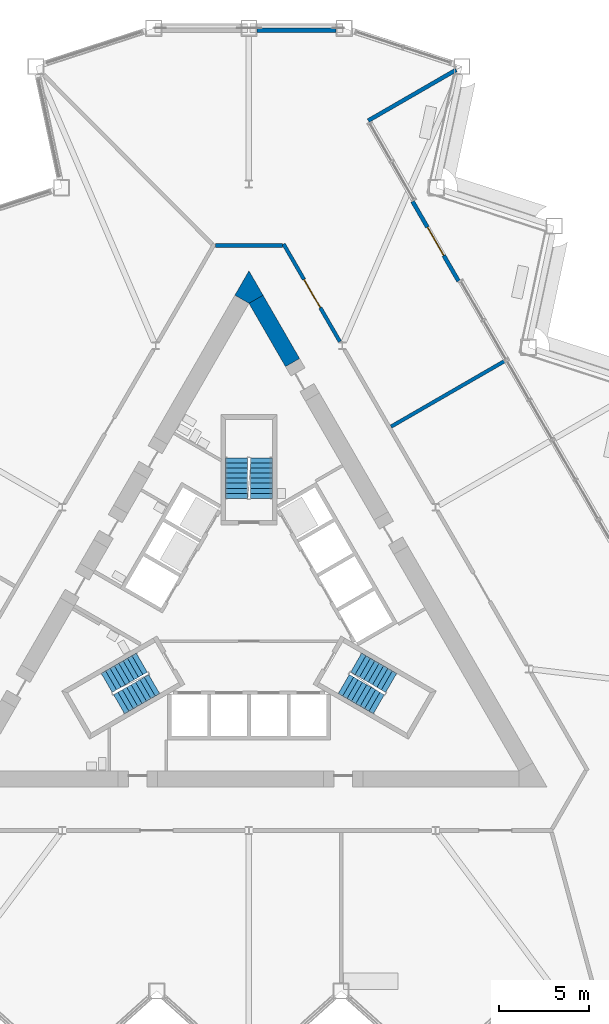
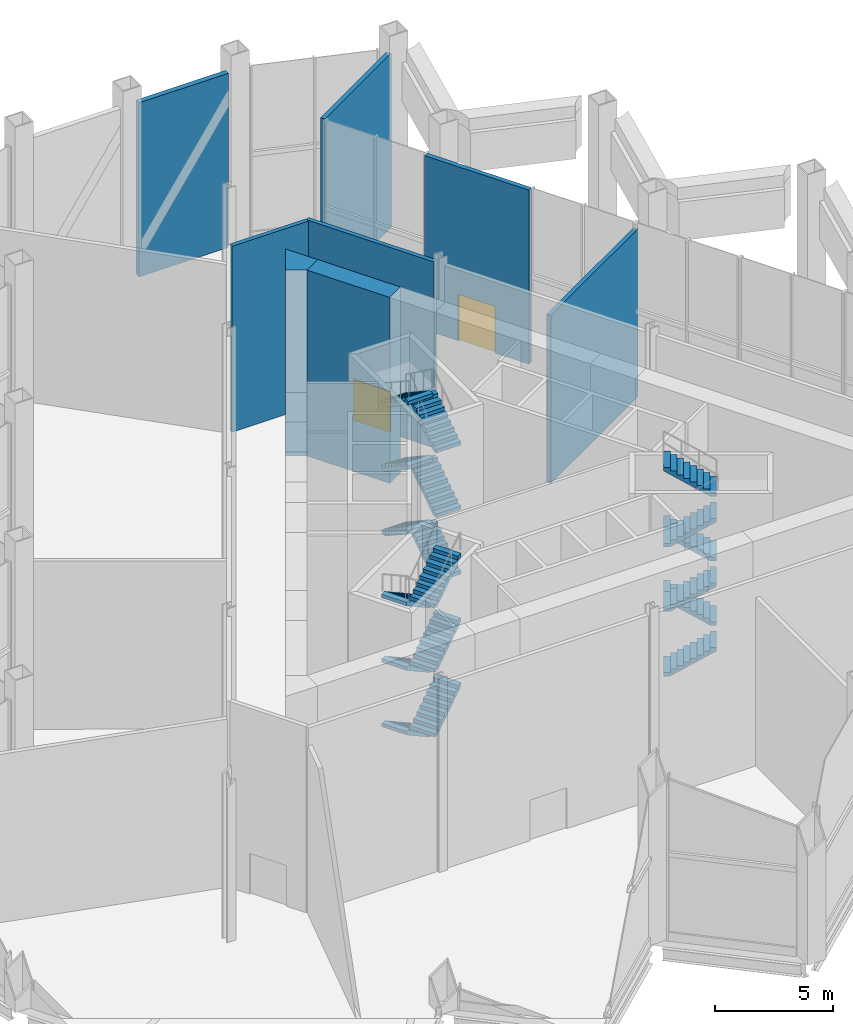
# One storey, part 11 of 18: 18 stair flights, 8 walls, 2 doors, 2 openings, 3 elements without a shape of their own.
"""IFC4 building model written with IfcOpenShell, lengths in metres."""

from ifc_helpers import new_model, si_unit, direction, frame, frame_2d, origin, place, context, subcontext, project, spatial, polyline, rectangle, outline, extrude, material, layer, layer_set, type_object, element, fill, aggregate, save


model = new_model("IFC4")

# Units and contexts
model_context = context("Model", 3, precision=1e-05, world=origin(), true_north=direction((0.0, 1.0)))
body_context = subcontext(model_context, "Body", "Model", "MODEL_VIEW")
ifc_project = project(units=[si_unit("LENGTHUNIT", "METRE"), si_unit("AREAUNIT", "SQUARE_METRE"), si_unit("VOLUMEUNIT", "CUBIC_METRE"), si_unit("PLANEANGLEUNIT", "RADIAN"), si_unit("MASSUNIT", "GRAM", prefix="KILO")], contexts=[model_context])

# Site, building, storey
site_placement = place(None, origin())
site = spatial("IfcSite", under=ifc_project, at=site_placement, CompositionType="ELEMENT")
building_placement = place(site_placement, origin())
building = spatial("IfcBuilding", under=site, at=building_placement, Name="Cormorant Prow Tower", CompositionType="ELEMENT")
storey_placement = place(building_placement, frame((0.0, 0.0, 154.199951171875)))
storey = spatial("IfcBuildingStorey", under=building, at=storey_placement, Name="L33", CompositionType="ELEMENT", Elevation=154.199951171875)

# Walls
ifc_material_1 = material(Name="Concrete 8000 psi", Category="concrete")
ifc_layer_1 = layer(ifc_material_1, 0.89990234375)
ifc_layer_set_1 = layer_set([ifc_layer_1], Name="Concrete 8000 psi")
wall_type_1 = type_object("IfcWallType", Name="Core shear wall 900", PredefinedType="SHEAR", material=ifc_layer_set_1)
wall_1_placement = place(storey_placement, frame((2.41259765625, 13.97412109375, 0.0), z_axis=(0.0, 0.0, 1.0), x_axis=(-0.500046330384, 0.865998653272, 0.0)))
element("IfcWall", 1, at=wall_1_placement, inside=storey, type_object=wall_type_1, Name="Core wall", PredefinedType="SHEAR", context=body_context, shape_type="SweptSolid", body=[
    extrude(rectangle(XDim=4.04541015625, YDim=0.89990234375, at=frame_2d((2.022705078125, 0.0))), origin(), (0.0, 0.0, 1.0), 9.60009765625),
])
wall_2_placement = place(storey_placement, origin())
element("IfcWall", 2, at=wall_2_placement, inside=storey, type_object=wall_type_1, Name="Core wall corner", PredefinedType="SHEAR", context=body_context, shape_type="SweptSolid", body=[
    extrude(outline(polyline([(-0.779296875, 17.70263671875), (0.0, 19.052490234375), (0.779296875, 17.70263671875), (0.0, 17.252685546875), (-0.779296875, 17.70263671875)])), origin(), (0.0, 0.0, 1.0), 9.60009765625),
])

# Wall, opening, door
ifc_material_2 = material(Name="Gypsum board corridor wall")
ifc_layer_2 = layer(ifc_material_2, 0.199951171875)
ifc_layer_set_2 = layer_set([ifc_layer_2], Name="Gypsum board corridor wall")
wall_type_2 = type_object("IfcWallType", Name="Corridor wall 200", PredefinedType="PARTITIONING", material=ifc_layer_set_2)
wall_3_placement = place(storey_placement, frame((1.9130859375, 20.539306640625, 0.0), z_axis=(0.0, 0.0, 1.0), x_axis=(0.499980978912, -0.866036385336, 0.0)))
wall_3 = element("IfcWall", 3, at=wall_3_placement, inside=storey, type_object=wall_type_2, Name="Corridor wall", PredefinedType="PARTITIONING", context=body_context, shape_type="SweptSolid", body=[
    extrude(rectangle(XDim=6.239990234375, YDim=0.199951171875, at=frame_2d((3.1201171875, 0.0))), origin(), (0.0, 0.0, 1.0), 9.60009765625),
])
opening_1_placement = place(wall_3_placement, frame((2.2705078125, 0.0, 0.0)))
opening_1 = element("IfcOpeningElement", 4, at=opening_1_placement, cuts=wall_3, Name="Opening L33-F04", PredefinedType="OPENING", context=body_context, shape_type="SweptSolid", body=[
    extrude(rectangle(XDim=1.800048828125, YDim=2.10009765625, at=frame_2d((0.89990234375, 1.050048828125))), frame((0.0, 0.10986328125, 0.0), z_axis=(0.0, -1.0, 0.0), x_axis=(1.0, 0.0, 0.0)), (0.0, 0.0, 1.0), 0.219970703125),
])
ifc_material_3 = material(Name="Timber door leaf", Category="wood")
door_type_1 = type_object("IfcDoorType", Name="Double door 1800x2100", OperationType="DOUBLE_DOOR_SINGLE_SWING", PredefinedType="DOOR", material=ifc_material_3)
door_1_placement = place(opening_1_placement, origin())
door_1 = element("IfcDoor", 5, at=door_1_placement, inside=storey, type_object=door_type_1, Name="Business services centre door", OperationType="DOUBLE_DOOR_SINGLE_SWING", OverallHeight=2.10009765625, OverallWidth=1.800048828125, PredefinedType="DOOR", context=body_context, shape_type="SweptSolid", body=[
    extrude(rectangle(XDim=1.800048828125, YDim=2.10009765625, at=frame_2d((0.89990234375, 1.050048828125))), frame((0.0, 0.02490234375, 0.0), z_axis=(0.0, -1.0, 0.0), x_axis=(1.0, 0.0, 0.0)), (0.0, 0.0, 1.0), 0.050048828125),
])
fill(opening_1, door_1)

# Walls
wall_4_placement = place(storey_placement, frame((-1.863037109375, 20.45263671875, 0.0), z_axis=(0.0, 0.0, 1.0), x_axis=(1.0, 0.0, 0.0)))
element("IfcWall", 6, at=wall_4_placement, inside=storey, type_object=wall_type_2, Name="Corridor wall", PredefinedType="PARTITIONING", context=body_context, shape_type="SweptSolid", body=[
    extrude(rectangle(XDim=3.72607421875, YDim=0.199951171875, at=frame_2d((1.863037109375, 0.0))), origin(), (0.0, 0.0, 1.0), 9.60009765625),
])
ifc_material_4 = material(Name="Gypsum board demising wall")
ifc_layer_3 = layer(ifc_material_4, 0.199951171875)
ifc_layer_set_3 = layer_set([ifc_layer_3], Name="Gypsum board demising wall")
wall_type_3 = type_object("IfcWallType", Name="Demising wall 200", PredefinedType="PARTITIONING", material=ifc_layer_set_3)
wall_5_placement = place(storey_placement, frame((7.864990234375, 10.4296875, 0.0), z_axis=(0.0, 0.0, 1.0), x_axis=(0.866025675355, 0.499999529627, 0.0)))
element("IfcWall", 7, at=wall_5_placement, inside=storey, type_object=wall_type_3, Name="Demising wall", PredefinedType="PARTITIONING", context=body_context, shape_type="SweptSolid", body=[
    extrude(rectangle(XDim=7.373046875, YDim=0.199951171875, at=frame_2d((3.6865234375, 0.0))), origin(), (0.0, 0.0, 1.0), 8.685302734375),
])
ifc_material_5 = material(Name="Terracotta", Category="masonry")
ifc_layer_4 = layer(ifc_material_5, 0.25)
ifc_layer_set_4 = layer_set([ifc_layer_4], Name="Terracotta")
wall_type_4 = type_object("IfcWallType", Name="Terracotta bay wall 250", PredefinedType="SOLIDWALL", material=ifc_layer_set_4)
wall_6_placement = place(storey_placement, frame((4.819580078125, 32.362060546875, 0.0), z_axis=(0.0, 0.0, 1.0), x_axis=(-1.0, 0.0, 0.0)))
element("IfcWall", 8, at=wall_6_placement, inside=storey, type_object=wall_type_4, Name="Terracotta bay wall N00", PredefinedType="SOLIDWALL", context=body_context, shape_type="SweptSolid", body=[
    extrude(rectangle(XDim=4.36962890625, YDim=0.25, at=frame_2d((2.184814453125, 0.0))), origin(), (0.0, 0.0, 1.0), 8.989013671875),
])

# Wall, opening, door
ifc_material_6 = material(Name="Terracotta", Category="masonry")
ifc_layer_5 = layer(ifc_material_6, 0.219970703125)
ifc_layer_set_5 = layer_set([ifc_layer_5], Name="Terracotta")
wall_type_5 = type_object("IfcWallType", Name="Terracotta loggia wall 220", PredefinedType="SOLIDWALL", material=ifc_layer_set_5)
wall_7_placement = place(storey_placement, frame((11.60498046875, 18.47802734375, 0.0), z_axis=(0.0, 0.0, 1.0), x_axis=(-0.500026340207, 0.866010195725, 0.0)))
wall_7 = element("IfcWall", 9, at=wall_7_placement, inside=storey, type_object=wall_type_5, Name="Terracotta loggia wall ENE07", PredefinedType="SOLIDWALL", context=body_context, shape_type="SweptSolid", body=[
    extrude(rectangle(XDim=5.099853515625, YDim=0.219970703125, at=frame_2d((2.5498046875, 0.0))), origin(), (0.0, 0.0, 1.0), 8.989013671875),
])
opening_2_placement = place(wall_7_placement, frame((1.64990234375, 0.0, 0.0)))
opening_2 = element("IfcOpeningElement", 10, at=opening_2_placement, cuts=wall_7, Name="Opening ED33.02", PredefinedType="OPENING", context=body_context, shape_type="SweptSolid", body=[
    extrude(rectangle(XDim=1.800048828125, YDim=2.39990234375, at=frame_2d((0.89990234375, 1.199951171875))), frame((0.0, 0.119873046875, 0.0), z_axis=(0.0, -1.0, 0.0), x_axis=(1.0, 0.0, 0.0)), (0.0, 0.0, 1.0), 0.239990234375),
])
ifc_material_7 = material(Name="Aluminium 6063-T6", Category="aluminium")
door_type_2 = type_object("IfcDoorType", Name="Terrace door 1800x2400", OperationType="DOUBLE_DOOR_SINGLE_SWING", PredefinedType="DOOR", material=ifc_material_7)
door_2_placement = place(opening_2_placement, origin())
door_2 = element("IfcDoor", 11, at=door_2_placement, inside=storey, type_object=door_type_2, Name="Terrace door ENE07 ED33.02", OperationType="DOUBLE_DOOR_SINGLE_SWING", OverallHeight=2.39990234375, OverallWidth=1.800048828125, PredefinedType="DOOR", context=body_context, shape_type="SweptSolid", body=[
    extrude(rectangle(XDim=1.800048828125, YDim=2.39990234375, at=frame_2d((0.89990234375, 1.199951171875))), frame((0.0, 0.02490234375, 0.0), z_axis=(0.0, -1.0, 0.0), x_axis=(1.0, 0.0, 0.0)), (0.0, 0.0, 1.0), 0.050048828125),
])
fill(opening_2, door_2)

# Wall
wall_8_placement = place(storey_placement, frame((11.46728515625, 30.17626953125, 0.0), z_axis=(0.0, 0.0, 1.0), x_axis=(-0.866015577098, -0.500017019934, 0.0)))
element("IfcWall", 12, at=wall_8_placement, inside=storey, type_object=wall_type_5, Name="Terracotta loggia return ENE east", PredefinedType="SOLIDWALL", context=body_context, shape_type="SweptSolid", body=[
    extrude(rectangle(XDim=5.619873046875, YDim=0.219970703125, at=frame_2d((2.81005859375, 0.0))), origin(), (0.0, 0.0, 1.0), 8.989013671875),
])

# Stair, stair flights
ifc_material_8 = material(Name="Exit stair 54 risers")
stair_type = type_object("IfcStairType", Name="Exit stair 54 risers", PredefinedType="HALF_TURN_STAIR", material=ifc_material_8)
stair_1_placement = place(storey_placement, origin())
stair_1 = element("IfcStair", 13, at=stair_1_placement, inside=storey, type_object=stair_type, Name="L33 Exit stair ST1", PredefinedType="HALF_TURN_STAIR")
ifc_material_9 = material(Name="Concrete 5000 psi", Category="concrete")
stair_flight_type = type_object("IfcStairFlightType", Name="Stair flight 1219", PredefinedType="STRAIGHT", material=ifc_material_9)
stair_flight_1_placement = place(storey_placement, frame((-5.93310546875, -2.635009765625, 0.0), z_axis=(0.0, 0.0, 1.0), x_axis=(-0.866025403784, -0.5, 0.0)))
stair_flight_1 = element("IfcStairFlight", 14, at=stair_flight_1_placement, type_object=stair_flight_type, Name="ST1 flight 1", NumberOfRisers=9, NumberOfTreads=8, PredefinedType="STRAIGHT", RiserHeight=0.185185185, TreadLength=0.28, context=body_context, shape_type="SweptSolid", body=[
    extrude(outline(polyline([(0.0, 0.0), (0.0, 0.185302734375), (0.280029296875, 0.185302734375), (0.280029296875, 0.370361328125), (0.56005859375, 0.370361328125), (0.56005859375, 0.5556640625), (0.840087890625, 0.5556640625), (0.840087890625, 0.74072265625), (1.1201171875, 0.74072265625), (1.1201171875, 0.926025390625), (1.39990234375, 0.926025390625), (1.39990234375, 1.111083984375), (1.679931640625, 1.111083984375), (1.679931640625, 1.29638671875), (1.9599609375, 1.29638671875), (1.9599609375, 1.4814453125), (2.239990234375, 1.4814453125), (2.239990234375, 1.666748046875), (2.239990234375, 1.3017578125), (0.271728515625, 0.0), (0.0, 0.0)])), frame((0.0, 0.609375, 0.0), z_axis=(0.0, -1.0, 0.0), x_axis=(1.0, 0.0, 0.0)), (0.0, 0.0, 1.0), 1.218994140625),
])
stair_flight_2_placement = place(storey_placement, frame((-7.1884765625, -4.940673828125, 1.666748046875), z_axis=(0.0, 0.0, 1.0), x_axis=(0.866025403784, 0.5, 0.0)))
stair_flight_2 = element("IfcStairFlight", 15, at=stair_flight_2_placement, type_object=stair_flight_type, Name="ST1 flight 2", NumberOfRisers=9, NumberOfTreads=8, PredefinedType="STRAIGHT", RiserHeight=0.185185185, TreadLength=0.28, context=body_context, shape_type="SweptSolid", body=[
    extrude(outline(polyline([(0.0, 0.0), (0.0, 0.185302734375), (0.280029296875, 0.185302734375), (0.280029296875, 0.370361328125), (0.56005859375, 0.370361328125), (0.56005859375, 0.5556640625), (0.840087890625, 0.5556640625), (0.840087890625, 0.74072265625), (1.1201171875, 0.74072265625), (1.1201171875, 0.926025390625), (1.39990234375, 0.926025390625), (1.39990234375, 1.111083984375), (1.679931640625, 1.111083984375), (1.679931640625, 1.29638671875), (1.9599609375, 1.29638671875), (1.9599609375, 1.4814453125), (2.239990234375, 1.4814453125), (2.239990234375, 1.666748046875), (2.239990234375, 1.3017578125), (0.271728515625, 0.0), (0.0, 0.0)])), frame((0.0, 0.609375, 0.0), z_axis=(0.0, -1.0, 0.0), x_axis=(1.0, 0.0, 0.0)), (0.0, 0.0, 1.0), 1.218994140625),
])
stair_flight_3_placement = place(storey_placement, frame((-5.93310546875, -2.635009765625, 3.33349609375), z_axis=(0.0, 0.0, 1.0), x_axis=(-0.866025403784, -0.5, 0.0)))
stair_flight_3 = element("IfcStairFlight", 16, at=stair_flight_3_placement, type_object=stair_flight_type, Name="ST1 flight 3", NumberOfRisers=9, NumberOfTreads=8, PredefinedType="STRAIGHT", RiserHeight=0.185185185, TreadLength=0.28, context=body_context, shape_type="SweptSolid", body=[
    extrude(outline(polyline([(0.0, 0.0), (0.0, 0.185302734375), (0.280029296875, 0.185302734375), (0.280029296875, 0.370361328125), (0.56005859375, 0.370361328125), (0.56005859375, 0.5556640625), (0.840087890625, 0.5556640625), (0.840087890625, 0.74072265625), (1.1201171875, 0.74072265625), (1.1201171875, 0.926025390625), (1.39990234375, 0.926025390625), (1.39990234375, 1.111083984375), (1.679931640625, 1.111083984375), (1.679931640625, 1.29638671875), (1.9599609375, 1.29638671875), (1.9599609375, 1.4814453125), (2.239990234375, 1.4814453125), (2.239990234375, 1.666748046875), (2.239990234375, 1.3017578125), (0.271728515625, 0.0), (0.0, 0.0)])), frame((0.0, 0.609375, 0.0), z_axis=(0.0, -1.0, 0.0), x_axis=(1.0, 0.0, 0.0)), (0.0, 0.0, 1.0), 1.218994140625),
])
stair_flight_4_placement = place(storey_placement, frame((-7.1884765625, -4.940673828125, 5.0), z_axis=(0.0, 0.0, 1.0), x_axis=(0.866025403784, 0.5, 0.0)))
stair_flight_4 = element("IfcStairFlight", 17, at=stair_flight_4_placement, type_object=stair_flight_type, Name="ST1 flight 4", NumberOfRisers=9, NumberOfTreads=8, PredefinedType="STRAIGHT", RiserHeight=0.185185185, TreadLength=0.28, context=body_context, shape_type="SweptSolid", body=[
    extrude(outline(polyline([(0.0, 0.0), (0.0, 0.185302734375), (0.280029296875, 0.185302734375), (0.280029296875, 0.370361328125), (0.56005859375, 0.370361328125), (0.56005859375, 0.5556640625), (0.840087890625, 0.5556640625), (0.840087890625, 0.74072265625), (1.1201171875, 0.74072265625), (1.1201171875, 0.926025390625), (1.39990234375, 0.926025390625), (1.39990234375, 1.111083984375), (1.679931640625, 1.111083984375), (1.679931640625, 1.29638671875), (1.9599609375, 1.29638671875), (1.9599609375, 1.4814453125), (2.239990234375, 1.4814453125), (2.239990234375, 1.666748046875), (2.239990234375, 1.3017578125), (0.271728515625, 0.0), (0.0, 0.0)])), frame((0.0, 0.609375, 0.0), z_axis=(0.0, -1.0, 0.0), x_axis=(1.0, 0.0, 0.0)), (0.0, 0.0, 1.0), 1.218994140625),
])
stair_flight_5_placement = place(storey_placement, frame((-5.93310546875, -2.635009765625, 6.666748046875), z_axis=(0.0, 0.0, 1.0), x_axis=(-0.866025403784, -0.5, 0.0)))
stair_flight_5 = element("IfcStairFlight", 18, at=stair_flight_5_placement, type_object=stair_flight_type, Name="ST1 flight 5", NumberOfRisers=9, NumberOfTreads=8, PredefinedType="STRAIGHT", RiserHeight=0.185185185, TreadLength=0.28, context=body_context, shape_type="SweptSolid", body=[
    extrude(outline(polyline([(0.0, 0.0), (0.0, 0.185302734375), (0.280029296875, 0.185302734375), (0.280029296875, 0.370361328125), (0.56005859375, 0.370361328125), (0.56005859375, 0.5556640625), (0.840087890625, 0.5556640625), (0.840087890625, 0.74072265625), (1.1201171875, 0.74072265625), (1.1201171875, 0.926025390625), (1.39990234375, 0.926025390625), (1.39990234375, 1.111083984375), (1.679931640625, 1.111083984375), (1.679931640625, 1.29638671875), (1.9599609375, 1.29638671875), (1.9599609375, 1.4814453125), (2.239990234375, 1.4814453125), (2.239990234375, 1.666748046875), (2.239990234375, 1.3017578125), (0.271728515625, 0.0), (0.0, 0.0)])), frame((0.0, 0.609375, 0.0), z_axis=(0.0, -1.0, 0.0), x_axis=(1.0, 0.0, 0.0)), (0.0, 0.0, 1.0), 1.218994140625),
])
stair_flight_6_placement = place(storey_placement, frame((-7.1884765625, -4.940673828125, 8.33349609375), z_axis=(0.0, 0.0, 1.0), x_axis=(0.866025403784, 0.5, 0.0)))
stair_flight_6 = element("IfcStairFlight", 19, at=stair_flight_6_placement, type_object=stair_flight_type, Name="ST1 flight 6", NumberOfRisers=9, NumberOfTreads=8, PredefinedType="STRAIGHT", RiserHeight=0.185185185, TreadLength=0.28, context=body_context, shape_type="SweptSolid", body=[
    extrude(outline(polyline([(0.0, 0.0), (0.0, 0.185302734375), (0.280029296875, 0.185302734375), (0.280029296875, 0.370361328125), (0.56005859375, 0.370361328125), (0.56005859375, 0.5556640625), (0.840087890625, 0.5556640625), (0.840087890625, 0.74072265625), (1.1201171875, 0.74072265625), (1.1201171875, 0.926025390625), (1.39990234375, 0.926025390625), (1.39990234375, 1.111083984375), (1.679931640625, 1.111083984375), (1.679931640625, 1.29638671875), (1.9599609375, 1.29638671875), (1.9599609375, 1.4814453125), (2.239990234375, 1.4814453125), (2.239990234375, 1.666748046875), (2.239990234375, 1.3017578125), (0.271728515625, 0.0), (0.0, 0.0)])), frame((0.0, 0.609375, 0.0), z_axis=(0.0, -1.0, 0.0), x_axis=(1.0, 0.0, 0.0)), (0.0, 0.0, 1.0), 1.218994140625),
])
aggregate(stair_1, [stair_flight_1, stair_flight_2, stair_flight_3, stair_flight_4, stair_flight_5, stair_flight_6])

stair_2_placement = place(storey_placement, origin())
stair_2 = element("IfcStair", 20, at=stair_2_placement, inside=storey, type_object=stair_type, Name="L33 Exit stair ST2", PredefinedType="HALF_TURN_STAIR")
stair_flight_7_placement = place(storey_placement, frame((5.24853515625, -3.82080078125, 0.0), z_axis=(0.0, 0.0, 1.0), x_axis=(0.866025403784, -0.5, 0.0)))
stair_flight_7 = element("IfcStairFlight", 21, at=stair_flight_7_placement, type_object=stair_flight_type, Name="ST2 flight 1", NumberOfRisers=9, NumberOfTreads=8, PredefinedType="STRAIGHT", RiserHeight=0.185185185, TreadLength=0.28, context=body_context, shape_type="SweptSolid", body=[
    extrude(outline(polyline([(0.0, 0.0), (0.0, 0.185302734375), (0.280029296875, 0.185302734375), (0.280029296875, 0.370361328125), (0.56005859375, 0.370361328125), (0.56005859375, 0.5556640625), (0.840087890625, 0.5556640625), (0.840087890625, 0.74072265625), (1.1201171875, 0.74072265625), (1.1201171875, 0.926025390625), (1.39990234375, 0.926025390625), (1.39990234375, 1.111083984375), (1.679931640625, 1.111083984375), (1.679931640625, 1.29638671875), (1.9599609375, 1.29638671875), (1.9599609375, 1.4814453125), (2.239990234375, 1.4814453125), (2.239990234375, 1.666748046875), (2.239990234375, 1.3017578125), (0.271728515625, 0.0), (0.0, 0.0)])), frame((0.0, 0.609375, 0.0), z_axis=(0.0, -1.0, 0.0), x_axis=(1.0, 0.0, 0.0)), (0.0, 0.0, 1.0), 1.218994140625),
])
stair_flight_8_placement = place(storey_placement, frame((7.873046875, -3.755126953125, 1.666748046875), z_axis=(0.0, 0.0, 1.0), x_axis=(-0.866025403784, 0.5, 0.0)))
stair_flight_8 = element("IfcStairFlight", 22, at=stair_flight_8_placement, type_object=stair_flight_type, Name="ST2 flight 2", NumberOfRisers=9, NumberOfTreads=8, PredefinedType="STRAIGHT", RiserHeight=0.185185185, TreadLength=0.28, context=body_context, shape_type="SweptSolid", body=[
    extrude(outline(polyline([(0.0, 0.0), (0.0, 0.185302734375), (0.280029296875, 0.185302734375), (0.280029296875, 0.370361328125), (0.56005859375, 0.370361328125), (0.56005859375, 0.5556640625), (0.840087890625, 0.5556640625), (0.840087890625, 0.74072265625), (1.1201171875, 0.74072265625), (1.1201171875, 0.926025390625), (1.39990234375, 0.926025390625), (1.39990234375, 1.111083984375), (1.679931640625, 1.111083984375), (1.679931640625, 1.29638671875), (1.9599609375, 1.29638671875), (1.9599609375, 1.4814453125), (2.239990234375, 1.4814453125), (2.239990234375, 1.666748046875), (2.239990234375, 1.3017578125), (0.271728515625, 0.0), (0.0, 0.0)])), frame((0.0, 0.609375, 0.0), z_axis=(0.0, -1.0, 0.0), x_axis=(1.0, 0.0, 0.0)), (0.0, 0.0, 1.0), 1.218994140625),
])
stair_flight_9_placement = place(storey_placement, frame((5.24853515625, -3.82080078125, 3.33349609375), z_axis=(0.0, 0.0, 1.0), x_axis=(0.866025403784, -0.5, 0.0)))
stair_flight_9 = element("IfcStairFlight", 23, at=stair_flight_9_placement, type_object=stair_flight_type, Name="ST2 flight 3", NumberOfRisers=9, NumberOfTreads=8, PredefinedType="STRAIGHT", RiserHeight=0.185185185, TreadLength=0.28, context=body_context, shape_type="SweptSolid", body=[
    extrude(outline(polyline([(0.0, 0.0), (0.0, 0.185302734375), (0.280029296875, 0.185302734375), (0.280029296875, 0.370361328125), (0.56005859375, 0.370361328125), (0.56005859375, 0.5556640625), (0.840087890625, 0.5556640625), (0.840087890625, 0.74072265625), (1.1201171875, 0.74072265625), (1.1201171875, 0.926025390625), (1.39990234375, 0.926025390625), (1.39990234375, 1.111083984375), (1.679931640625, 1.111083984375), (1.679931640625, 1.29638671875), (1.9599609375, 1.29638671875), (1.9599609375, 1.4814453125), (2.239990234375, 1.4814453125), (2.239990234375, 1.666748046875), (2.239990234375, 1.3017578125), (0.271728515625, 0.0), (0.0, 0.0)])), frame((0.0, 0.609375, 0.0), z_axis=(0.0, -1.0, 0.0), x_axis=(1.0, 0.0, 0.0)), (0.0, 0.0, 1.0), 1.218994140625),
])
stair_flight_10_placement = place(storey_placement, frame((7.873046875, -3.755126953125, 5.0), z_axis=(0.0, 0.0, 1.0), x_axis=(-0.866025403784, 0.5, 0.0)))
stair_flight_10 = element("IfcStairFlight", 24, at=stair_flight_10_placement, type_object=stair_flight_type, Name="ST2 flight 4", NumberOfRisers=9, NumberOfTreads=8, PredefinedType="STRAIGHT", RiserHeight=0.185185185, TreadLength=0.28, context=body_context, shape_type="SweptSolid", body=[
    extrude(outline(polyline([(0.0, 0.0), (0.0, 0.185302734375), (0.280029296875, 0.185302734375), (0.280029296875, 0.370361328125), (0.56005859375, 0.370361328125), (0.56005859375, 0.5556640625), (0.840087890625, 0.5556640625), (0.840087890625, 0.74072265625), (1.1201171875, 0.74072265625), (1.1201171875, 0.926025390625), (1.39990234375, 0.926025390625), (1.39990234375, 1.111083984375), (1.679931640625, 1.111083984375), (1.679931640625, 1.29638671875), (1.9599609375, 1.29638671875), (1.9599609375, 1.4814453125), (2.239990234375, 1.4814453125), (2.239990234375, 1.666748046875), (2.239990234375, 1.3017578125), (0.271728515625, 0.0), (0.0, 0.0)])), frame((0.0, 0.609375, 0.0), z_axis=(0.0, -1.0, 0.0), x_axis=(1.0, 0.0, 0.0)), (0.0, 0.0, 1.0), 1.218994140625),
])
stair_flight_11_placement = place(storey_placement, frame((5.24853515625, -3.82080078125, 6.666748046875), z_axis=(0.0, 0.0, 1.0), x_axis=(0.866025403784, -0.5, 0.0)))
stair_flight_11 = element("IfcStairFlight", 25, at=stair_flight_11_placement, type_object=stair_flight_type, Name="ST2 flight 5", NumberOfRisers=9, NumberOfTreads=8, PredefinedType="STRAIGHT", RiserHeight=0.185185185, TreadLength=0.28, context=body_context, shape_type="SweptSolid", body=[
    extrude(outline(polyline([(0.0, 0.0), (0.0, 0.185302734375), (0.280029296875, 0.185302734375), (0.280029296875, 0.370361328125), (0.56005859375, 0.370361328125), (0.56005859375, 0.5556640625), (0.840087890625, 0.5556640625), (0.840087890625, 0.74072265625), (1.1201171875, 0.74072265625), (1.1201171875, 0.926025390625), (1.39990234375, 0.926025390625), (1.39990234375, 1.111083984375), (1.679931640625, 1.111083984375), (1.679931640625, 1.29638671875), (1.9599609375, 1.29638671875), (1.9599609375, 1.4814453125), (2.239990234375, 1.4814453125), (2.239990234375, 1.666748046875), (2.239990234375, 1.3017578125), (0.271728515625, 0.0), (0.0, 0.0)])), frame((0.0, 0.609375, 0.0), z_axis=(0.0, -1.0, 0.0), x_axis=(1.0, 0.0, 0.0)), (0.0, 0.0, 1.0), 1.218994140625),
])
stair_flight_12_placement = place(storey_placement, frame((7.873046875, -3.755126953125, 8.33349609375), z_axis=(0.0, 0.0, 1.0), x_axis=(-0.866025403784, 0.5, 0.0)))
stair_flight_12 = element("IfcStairFlight", 26, at=stair_flight_12_placement, type_object=stair_flight_type, Name="ST2 flight 6", NumberOfRisers=9, NumberOfTreads=8, PredefinedType="STRAIGHT", RiserHeight=0.185185185, TreadLength=0.28, context=body_context, shape_type="SweptSolid", body=[
    extrude(outline(polyline([(0.0, 0.0), (0.0, 0.185302734375), (0.280029296875, 0.185302734375), (0.280029296875, 0.370361328125), (0.56005859375, 0.370361328125), (0.56005859375, 0.5556640625), (0.840087890625, 0.5556640625), (0.840087890625, 0.74072265625), (1.1201171875, 0.74072265625), (1.1201171875, 0.926025390625), (1.39990234375, 0.926025390625), (1.39990234375, 1.111083984375), (1.679931640625, 1.111083984375), (1.679931640625, 1.29638671875), (1.9599609375, 1.29638671875), (1.9599609375, 1.4814453125), (2.239990234375, 1.4814453125), (2.239990234375, 1.666748046875), (2.239990234375, 1.3017578125), (0.271728515625, 0.0), (0.0, 0.0)])), frame((0.0, 0.609375, 0.0), z_axis=(0.0, -1.0, 0.0), x_axis=(1.0, 0.0, 0.0)), (0.0, 0.0, 1.0), 1.218994140625),
])
aggregate(stair_2, [stair_flight_7, stair_flight_8, stair_flight_9, stair_flight_10, stair_flight_11, stair_flight_12])

stair_3_placement = place(storey_placement, origin())
stair_3 = element("IfcStair", 27, at=stair_3_placement, inside=storey, type_object=stair_type, Name="L33 Exit stair ST3", PredefinedType="HALF_TURN_STAIR")
stair_flight_13_placement = place(storey_placement, frame((0.6845703125, 6.455810546875, 0.0), z_axis=(0.0, 0.0, 1.0), x_axis=(0.0, 1.0, 0.0)))
stair_flight_13 = element("IfcStairFlight", 28, at=stair_flight_13_placement, type_object=stair_flight_type, Name="ST3 flight 1", NumberOfRisers=9, NumberOfTreads=8, PredefinedType="STRAIGHT", RiserHeight=0.185185185, TreadLength=0.28, context=body_context, shape_type="SweptSolid", body=[
    extrude(outline(polyline([(0.0, 0.0), (0.0, 0.185302734375), (0.280029296875, 0.185302734375), (0.280029296875, 0.370361328125), (0.56005859375, 0.370361328125), (0.56005859375, 0.5556640625), (0.840087890625, 0.5556640625), (0.840087890625, 0.74072265625), (1.1201171875, 0.74072265625), (1.1201171875, 0.926025390625), (1.39990234375, 0.926025390625), (1.39990234375, 1.111083984375), (1.679931640625, 1.111083984375), (1.679931640625, 1.29638671875), (1.9599609375, 1.29638671875), (1.9599609375, 1.4814453125), (2.239990234375, 1.4814453125), (2.239990234375, 1.666748046875), (2.239990234375, 1.3017578125), (0.271728515625, 0.0), (0.0, 0.0)])), frame((0.0, 0.609375, 0.0), z_axis=(0.0, -1.0, 0.0), x_axis=(1.0, 0.0, 0.0)), (0.0, 0.0, 1.0), 1.218994140625),
])
stair_flight_14_placement = place(storey_placement, frame((-0.6845703125, 8.69580078125, 1.666748046875), z_axis=(0.0, 0.0, 1.0), x_axis=(0.0, -1.0, 0.0)))
stair_flight_14 = element("IfcStairFlight", 29, at=stair_flight_14_placement, type_object=stair_flight_type, Name="ST3 flight 2", NumberOfRisers=9, NumberOfTreads=8, PredefinedType="STRAIGHT", RiserHeight=0.185185185, TreadLength=0.28, context=body_context, shape_type="SweptSolid", body=[
    extrude(outline(polyline([(0.0, 0.0), (0.0, 0.185302734375), (0.280029296875, 0.185302734375), (0.280029296875, 0.370361328125), (0.56005859375, 0.370361328125), (0.56005859375, 0.5556640625), (0.840087890625, 0.5556640625), (0.840087890625, 0.74072265625), (1.1201171875, 0.74072265625), (1.1201171875, 0.926025390625), (1.39990234375, 0.926025390625), (1.39990234375, 1.111083984375), (1.679931640625, 1.111083984375), (1.679931640625, 1.29638671875), (1.9599609375, 1.29638671875), (1.9599609375, 1.4814453125), (2.239990234375, 1.4814453125), (2.239990234375, 1.666748046875), (2.239990234375, 1.3017578125), (0.271728515625, 0.0), (0.0, 0.0)])), frame((0.0, 0.609375, 0.0), z_axis=(0.0, -1.0, 0.0), x_axis=(1.0, 0.0, 0.0)), (0.0, 0.0, 1.0), 1.218994140625),
])
stair_flight_15_placement = place(storey_placement, frame((0.6845703125, 6.455810546875, 3.33349609375), z_axis=(0.0, 0.0, 1.0), x_axis=(0.0, 1.0, 0.0)))
stair_flight_15 = element("IfcStairFlight", 30, at=stair_flight_15_placement, type_object=stair_flight_type, Name="ST3 flight 3", NumberOfRisers=9, NumberOfTreads=8, PredefinedType="STRAIGHT", RiserHeight=0.185185185, TreadLength=0.28, context=body_context, shape_type="SweptSolid", body=[
    extrude(outline(polyline([(0.0, 0.0), (0.0, 0.185302734375), (0.280029296875, 0.185302734375), (0.280029296875, 0.370361328125), (0.56005859375, 0.370361328125), (0.56005859375, 0.5556640625), (0.840087890625, 0.5556640625), (0.840087890625, 0.74072265625), (1.1201171875, 0.74072265625), (1.1201171875, 0.926025390625), (1.39990234375, 0.926025390625), (1.39990234375, 1.111083984375), (1.679931640625, 1.111083984375), (1.679931640625, 1.29638671875), (1.9599609375, 1.29638671875), (1.9599609375, 1.4814453125), (2.239990234375, 1.4814453125), (2.239990234375, 1.666748046875), (2.239990234375, 1.3017578125), (0.271728515625, 0.0), (0.0, 0.0)])), frame((0.0, 0.609375, 0.0), z_axis=(0.0, -1.0, 0.0), x_axis=(1.0, 0.0, 0.0)), (0.0, 0.0, 1.0), 1.218994140625),
])
stair_flight_16_placement = place(storey_placement, frame((-0.6845703125, 8.69580078125, 5.0), z_axis=(0.0, 0.0, 1.0), x_axis=(0.0, -1.0, 0.0)))
stair_flight_16 = element("IfcStairFlight", 31, at=stair_flight_16_placement, type_object=stair_flight_type, Name="ST3 flight 4", NumberOfRisers=9, NumberOfTreads=8, PredefinedType="STRAIGHT", RiserHeight=0.185185185, TreadLength=0.28, context=body_context, shape_type="SweptSolid", body=[
    extrude(outline(polyline([(0.0, 0.0), (0.0, 0.185302734375), (0.280029296875, 0.185302734375), (0.280029296875, 0.370361328125), (0.56005859375, 0.370361328125), (0.56005859375, 0.5556640625), (0.840087890625, 0.5556640625), (0.840087890625, 0.74072265625), (1.1201171875, 0.74072265625), (1.1201171875, 0.926025390625), (1.39990234375, 0.926025390625), (1.39990234375, 1.111083984375), (1.679931640625, 1.111083984375), (1.679931640625, 1.29638671875), (1.9599609375, 1.29638671875), (1.9599609375, 1.4814453125), (2.239990234375, 1.4814453125), (2.239990234375, 1.666748046875), (2.239990234375, 1.3017578125), (0.271728515625, 0.0), (0.0, 0.0)])), frame((0.0, 0.609375, 0.0), z_axis=(0.0, -1.0, 0.0), x_axis=(1.0, 0.0, 0.0)), (0.0, 0.0, 1.0), 1.218994140625),
])
stair_flight_17_placement = place(storey_placement, frame((0.6845703125, 6.455810546875, 6.666748046875), z_axis=(0.0, 0.0, 1.0), x_axis=(0.0, 1.0, 0.0)))
stair_flight_17 = element("IfcStairFlight", 32, at=stair_flight_17_placement, type_object=stair_flight_type, Name="ST3 flight 5", NumberOfRisers=9, NumberOfTreads=8, PredefinedType="STRAIGHT", RiserHeight=0.185185185, TreadLength=0.28, context=body_context, shape_type="SweptSolid", body=[
    extrude(outline(polyline([(0.0, 0.0), (0.0, 0.185302734375), (0.280029296875, 0.185302734375), (0.280029296875, 0.370361328125), (0.56005859375, 0.370361328125), (0.56005859375, 0.5556640625), (0.840087890625, 0.5556640625), (0.840087890625, 0.74072265625), (1.1201171875, 0.74072265625), (1.1201171875, 0.926025390625), (1.39990234375, 0.926025390625), (1.39990234375, 1.111083984375), (1.679931640625, 1.111083984375), (1.679931640625, 1.29638671875), (1.9599609375, 1.29638671875), (1.9599609375, 1.4814453125), (2.239990234375, 1.4814453125), (2.239990234375, 1.666748046875), (2.239990234375, 1.3017578125), (0.271728515625, 0.0), (0.0, 0.0)])), frame((0.0, 0.609375, 0.0), z_axis=(0.0, -1.0, 0.0), x_axis=(1.0, 0.0, 0.0)), (0.0, 0.0, 1.0), 1.218994140625),
])
stair_flight_18_placement = place(storey_placement, frame((-0.6845703125, 8.69580078125, 8.33349609375), z_axis=(0.0, 0.0, 1.0), x_axis=(0.0, -1.0, 0.0)))
stair_flight_18 = element("IfcStairFlight", 33, at=stair_flight_18_placement, type_object=stair_flight_type, Name="ST3 flight 6", NumberOfRisers=9, NumberOfTreads=8, PredefinedType="STRAIGHT", RiserHeight=0.185185185, TreadLength=0.28, context=body_context, shape_type="SweptSolid", body=[
    extrude(outline(polyline([(0.0, 0.0), (0.0, 0.185302734375), (0.280029296875, 0.185302734375), (0.280029296875, 0.370361328125), (0.56005859375, 0.370361328125), (0.56005859375, 0.5556640625), (0.840087890625, 0.5556640625), (0.840087890625, 0.74072265625), (1.1201171875, 0.74072265625), (1.1201171875, 0.926025390625), (1.39990234375, 0.926025390625), (1.39990234375, 1.111083984375), (1.679931640625, 1.111083984375), (1.679931640625, 1.29638671875), (1.9599609375, 1.29638671875), (1.9599609375, 1.4814453125), (2.239990234375, 1.4814453125), (2.239990234375, 1.666748046875), (2.239990234375, 1.3017578125), (0.271728515625, 0.0), (0.0, 0.0)])), frame((0.0, 0.609375, 0.0), z_axis=(0.0, -1.0, 0.0), x_axis=(1.0, 0.0, 0.0)), (0.0, 0.0, 1.0), 1.218994140625),
])
aggregate(stair_3, [stair_flight_13, stair_flight_14, stair_flight_15, stair_flight_16, stair_flight_17, stair_flight_18])

save(model, "model.ifc")
